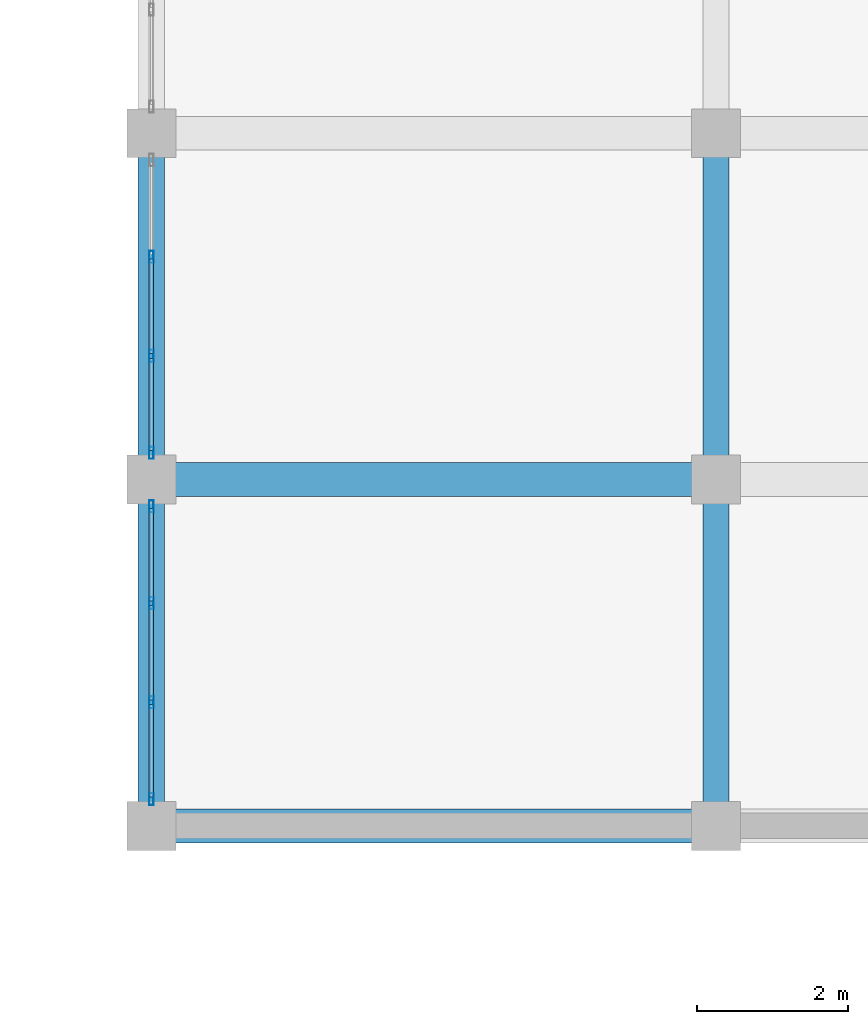
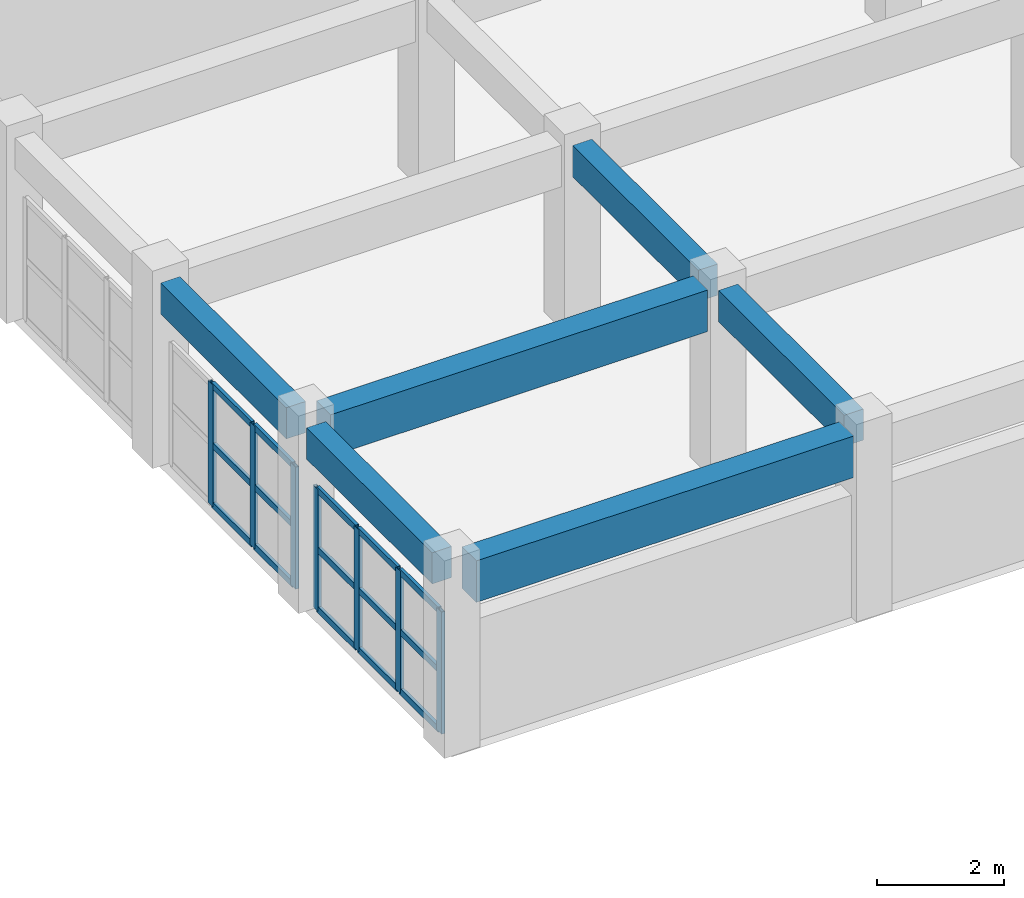
# One storey, part 10 of 74: 22 members, 6 beams, 2 elements without a shape of their own.
"""IFC4 building model written with IfcOpenShell, lengths in metres."""

from ifc_helpers import new_model, si_unit, direction, frame, origin, origin_2d, place, context, subcontext, project, spatial, rectangle, hollow_rectangle, extrude, material, layer, layer_set, material_profile, profile_set, type_object, element, aggregate, save


model = new_model("IFC4")

# Units and contexts
model_context = context("Model", 3, precision=1e-05, world=origin(), true_north=direction((0.0, 1.0)))
body_context = subcontext(model_context, "Body", "Model", "MODEL_VIEW")
ifc_project = project(units=[si_unit("LENGTHUNIT", "METRE"), si_unit("AREAUNIT", "SQUARE_METRE"), si_unit("VOLUMEUNIT", "CUBIC_METRE"), si_unit("PLANEANGLEUNIT", "RADIAN"), si_unit("MASSUNIT", "GRAM", prefix="KILO")], contexts=[model_context])

# Site, building, storey
site_placement = place(None, origin())
site = spatial("IfcSite", under=ifc_project, at=site_placement, CompositionType="ELEMENT")
building_placement = place(site_placement, origin())
building = spatial("IfcBuilding", under=site, at=building_placement, Name="Muzn Square Opera House", CompositionType="ELEMENT")
storey_placement = place(building_placement, frame((0.0, 0.0, 14.199951171875)))
storey = spatial("IfcBuildingStorey", under=building, at=storey_placement, Name="L03", CompositionType="ELEMENT", Elevation=14.199951171875)

# Curtain wall, members
ifc_material_1 = material(Name="Low-E laminated acoustic double glazing", Category="glass")
ifc_layer = layer(ifc_material_1, 0.159912109375, Name="Low-E laminated acoustic double glazing", Category="glass")
ifc_layer_set = layer_set([ifc_layer], Name="Low-E laminated acoustic double glazing")
curtain_wall_type = type_object("IfcCurtainWallType", Name="Glazed Curtain Wall WestCourt 3950x2350", PredefinedType="USERDEFINED", material=ifc_layer_set)
curtain_wall_1_placement = place(storey_placement, origin())
curtain_wall_1 = element("IfcCurtainWall", 1, at=curtain_wall_1_placement, inside=storey, type_object=curtain_wall_type, Name="Glazed Curtain Wall CW-L03-152", ObjectType="GLAZED CURTAIN WALL", PredefinedType="USERDEFINED")
ifc_material_2 = material(Name="Anodised bronze aluminium 6063-T6", Category="metal")
ifc_material_profile_1 = material_profile(ifc_material_2, hollow_rectangle(XDim=0.06005859375, YDim=0.159912109375, WallThickness=0.00390625, at=origin_2d()), Name="ALU 160x60x4", Category="metal")
ifc_profile_set_1 = profile_set([ifc_material_profile_1], Name="Anodised bronze aluminium 6063-T6")
member_type_1 = type_object("IfcMemberType", Name="Curtain Wall Mullion 160x60", PredefinedType="MULLION", material=ifc_profile_set_1)
member_1_placement = place(storey_placement, frame((19.0, 54.554931640625, 0.0), z_axis=(0.0, 0.0, 1.0), x_axis=(-1.0, 0.0, 0.0)))
member_1 = element("IfcMember", 2, at=member_1_placement, type_object=member_type_1, Name="CW-WCT-39x23 mullion 1", PredefinedType="MULLION", context=body_context, shape_type="SweptSolid", body=[
    extrude(hollow_rectangle(XDim=0.06005859375, YDim=0.159912109375, WallThickness=0.00390625, at=origin_2d()), origin(), (0.0, 0.0, 1.0), 2.35009765625),
])
member_2_placement = place(storey_placement, frame((19.0, 55.841552734375, 0.0), z_axis=(0.0, 0.0, 1.0), x_axis=(-1.0, 0.0, 0.0)))
member_2 = element("IfcMember", 3, at=member_2_placement, type_object=member_type_1, Name="CW-WCT-39x23 mullion 2", PredefinedType="MULLION", context=body_context, shape_type="SweptSolid", body=[
    extrude(hollow_rectangle(XDim=0.06005859375, YDim=0.159912109375, WallThickness=0.00390625, at=origin_2d()), origin(), (0.0, 0.0, 1.0), 2.35009765625),
])
member_3_placement = place(storey_placement, frame((19.0, 57.158447265625, 0.0), z_axis=(0.0, 0.0, 1.0), x_axis=(-1.0, 0.0, 0.0)))
member_3 = element("IfcMember", 4, at=member_3_placement, type_object=member_type_1, Name="CW-WCT-39x23 mullion 3", PredefinedType="MULLION", context=body_context, shape_type="SweptSolid", body=[
    extrude(hollow_rectangle(XDim=0.06005859375, YDim=0.159912109375, WallThickness=0.00390625, at=origin_2d()), origin(), (0.0, 0.0, 1.0), 2.35009765625),
])
member_4_placement = place(storey_placement, frame((19.0, 58.445068359375, 0.0), z_axis=(0.0, 0.0, 1.0), x_axis=(-1.0, 0.0, 0.0)))
member_4 = element("IfcMember", 5, at=member_4_placement, type_object=member_type_1, Name="CW-WCT-39x23 mullion 4", PredefinedType="MULLION", context=body_context, shape_type="SweptSolid", body=[
    extrude(hollow_rectangle(XDim=0.06005859375, YDim=0.159912109375, WallThickness=0.00390625, at=origin_2d()), origin(), (0.0, 0.0, 1.0), 2.35009765625),
])

curtain_wall_2_placement = place(storey_placement, origin())
curtain_wall_2 = element("IfcCurtainWall", 6, at=curtain_wall_2_placement, inside=storey, type_object=curtain_wall_type, Name="Glazed Curtain Wall CW-L03-153", ObjectType="GLAZED CURTAIN WALL", PredefinedType="USERDEFINED")
member_5_placement = place(storey_placement, frame((19.0, 59.155029296875, 0.0), z_axis=(0.0, 0.0, 1.0), x_axis=(-1.0, 0.0, 0.0)))
member_5 = element("IfcMember", 7, at=member_5_placement, type_object=member_type_1, Name="CW-WCT-39x23 mullion 1", PredefinedType="MULLION", context=body_context, shape_type="SweptSolid", body=[
    extrude(hollow_rectangle(XDim=0.06005859375, YDim=0.159912109375, WallThickness=0.00390625, at=origin_2d()), origin(), (0.0, 0.0, 1.0), 2.35009765625),
])
member_6_placement = place(storey_placement, frame((19.0, 60.441650390625, 0.0), z_axis=(0.0, 0.0, 1.0), x_axis=(-1.0, 0.0, 0.0)))
member_6 = element("IfcMember", 8, at=member_6_placement, type_object=member_type_1, Name="CW-WCT-39x23 mullion 2", PredefinedType="MULLION", context=body_context, shape_type="SweptSolid", body=[
    extrude(hollow_rectangle(XDim=0.06005859375, YDim=0.159912109375, WallThickness=0.00390625, at=origin_2d()), origin(), (0.0, 0.0, 1.0), 2.35009765625),
])
member_7_placement = place(storey_placement, frame((19.0, 61.75830078125, 0.0), z_axis=(0.0, 0.0, 1.0), x_axis=(-1.0, 0.0, 0.0)))
member_7 = element("IfcMember", 9, at=member_7_placement, type_object=member_type_1, Name="CW-WCT-39x23 mullion 3", PredefinedType="MULLION", context=body_context, shape_type="SweptSolid", body=[
    extrude(hollow_rectangle(XDim=0.06005859375, YDim=0.159912109375, WallThickness=0.00390625, at=origin_2d()), origin(), (0.0, 0.0, 1.0), 2.35009765625),
])

# Member
ifc_material_profile_2 = material_profile(ifc_material_2, hollow_rectangle(XDim=0.06005859375, YDim=0.1201171875, WallThickness=0.00390625, at=origin_2d()), Name="ALU 120x60x4", Category="metal")
ifc_profile_set_2 = profile_set([ifc_material_profile_2], Name="Anodised bronze aluminium 6063-T6")
member_type_2 = type_object("IfcMemberType", Name="Curtain Wall Transom 120x60", PredefinedType="USERDEFINED", material=ifc_profile_set_2)
member_8_placement = place(storey_placement, frame((19.0, 54.5849609375, 0.030029296875), z_axis=(0.0, 1.0, 0.0), x_axis=(-1.0, 0.0, 0.0)))
member_8 = element("IfcMember", 10, at=member_8_placement, type_object=member_type_2, Name="CW-WCT-39x23 transom 1.1", ObjectType="TRANSOM", PredefinedType="USERDEFINED", context=body_context, shape_type="SweptSolid", body=[
    extrude(hollow_rectangle(XDim=0.06005859375, YDim=0.1201171875, WallThickness=0.00390625, at=origin_2d()), origin(), (0.0, 0.0, 1.0), 1.226806640625),
])

member_9_placement = place(storey_placement, frame((19.0, 54.5849609375, 1.175048828125), z_axis=(0.0, 1.0, 0.0), x_axis=(-1.0, 0.0, 0.0)))
member_9 = element("IfcMember", 11, at=member_9_placement, type_object=member_type_2, Name="CW-WCT-39x23 transom 1.2", ObjectType="TRANSOM", PredefinedType="USERDEFINED", context=body_context, shape_type="SweptSolid", body=[
    extrude(hollow_rectangle(XDim=0.06005859375, YDim=0.1201171875, WallThickness=0.00390625, at=origin_2d()), origin(), (0.0, 0.0, 1.0), 1.226806640625),
])

member_10_placement = place(storey_placement, frame((19.0, 54.5849609375, 2.320068359375), z_axis=(0.0, 1.0, 0.0), x_axis=(-1.0, 0.0, 0.0)))
member_10 = element("IfcMember", 12, at=member_10_placement, type_object=member_type_2, Name="CW-WCT-39x23 transom 1.3", ObjectType="TRANSOM", PredefinedType="USERDEFINED", context=body_context, shape_type="SweptSolid", body=[
    extrude(hollow_rectangle(XDim=0.06005859375, YDim=0.1201171875, WallThickness=0.00390625, at=origin_2d()), origin(), (0.0, 0.0, 1.0), 1.226806640625),
])

member_11_placement = place(storey_placement, frame((19.0, 55.87158203125, 0.030029296875), z_axis=(0.0, 1.0, 0.0), x_axis=(-1.0, 0.0, 0.0)))
member_11 = element("IfcMember", 13, at=member_11_placement, type_object=member_type_2, Name="CW-WCT-39x23 transom 2.1", ObjectType="TRANSOM", PredefinedType="USERDEFINED", context=body_context, shape_type="SweptSolid", body=[
    extrude(hollow_rectangle(XDim=0.06005859375, YDim=0.1201171875, WallThickness=0.00390625, at=origin_2d()), origin(), (0.0, 0.0, 1.0), 1.2568359375),
])

member_12_placement = place(storey_placement, frame((19.0, 55.87158203125, 1.175048828125), z_axis=(0.0, 1.0, 0.0), x_axis=(-1.0, 0.0, 0.0)))
member_12 = element("IfcMember", 14, at=member_12_placement, type_object=member_type_2, Name="CW-WCT-39x23 transom 2.2", ObjectType="TRANSOM", PredefinedType="USERDEFINED", context=body_context, shape_type="SweptSolid", body=[
    extrude(hollow_rectangle(XDim=0.06005859375, YDim=0.1201171875, WallThickness=0.00390625, at=origin_2d()), origin(), (0.0, 0.0, 1.0), 1.2568359375),
])

member_13_placement = place(storey_placement, frame((19.0, 55.87158203125, 2.320068359375), z_axis=(0.0, 1.0, 0.0), x_axis=(-1.0, 0.0, 0.0)))
member_13 = element("IfcMember", 15, at=member_13_placement, type_object=member_type_2, Name="CW-WCT-39x23 transom 2.3", ObjectType="TRANSOM", PredefinedType="USERDEFINED", context=body_context, shape_type="SweptSolid", body=[
    extrude(hollow_rectangle(XDim=0.06005859375, YDim=0.1201171875, WallThickness=0.00390625, at=origin_2d()), origin(), (0.0, 0.0, 1.0), 1.2568359375),
])

member_14_placement = place(storey_placement, frame((19.0, 57.188232421875, 0.030029296875), z_axis=(0.0, 1.0, 0.0), x_axis=(-1.0, 0.0, 0.0)))
member_14 = element("IfcMember", 16, at=member_14_placement, type_object=member_type_2, Name="CW-WCT-39x23 transom 3.1", ObjectType="TRANSOM", PredefinedType="USERDEFINED", context=body_context, shape_type="SweptSolid", body=[
    extrude(hollow_rectangle(XDim=0.06005859375, YDim=0.1201171875, WallThickness=0.00390625, at=origin_2d()), origin(), (0.0, 0.0, 1.0), 1.226806640625),
])

member_15_placement = place(storey_placement, frame((19.0, 57.188232421875, 1.175048828125), z_axis=(0.0, 1.0, 0.0), x_axis=(-1.0, 0.0, 0.0)))
member_15 = element("IfcMember", 17, at=member_15_placement, type_object=member_type_2, Name="CW-WCT-39x23 transom 3.2", ObjectType="TRANSOM", PredefinedType="USERDEFINED", context=body_context, shape_type="SweptSolid", body=[
    extrude(hollow_rectangle(XDim=0.06005859375, YDim=0.1201171875, WallThickness=0.00390625, at=origin_2d()), origin(), (0.0, 0.0, 1.0), 1.226806640625),
])

member_16_placement = place(storey_placement, frame((19.0, 57.188232421875, 2.320068359375), z_axis=(0.0, 1.0, 0.0), x_axis=(-1.0, 0.0, 0.0)))
member_16 = element("IfcMember", 18, at=member_16_placement, type_object=member_type_2, Name="CW-WCT-39x23 transom 3.3", ObjectType="TRANSOM", PredefinedType="USERDEFINED", context=body_context, shape_type="SweptSolid", body=[
    extrude(hollow_rectangle(XDim=0.06005859375, YDim=0.1201171875, WallThickness=0.00390625, at=origin_2d()), origin(), (0.0, 0.0, 1.0), 1.226806640625),
])

aggregate(curtain_wall_1, [member_1, member_2, member_3, member_4, member_8, member_9, member_10, member_11, member_12, member_13, member_14, member_15, member_16])

member_17_placement = place(storey_placement, frame((19.0, 59.18505859375, 0.030029296875), z_axis=(0.0, 1.0, 0.0), x_axis=(-1.0, 0.0, 0.0)))
member_17 = element("IfcMember", 19, at=member_17_placement, type_object=member_type_2, Name="CW-WCT-39x23 transom 1.1", ObjectType="TRANSOM", PredefinedType="USERDEFINED", context=body_context, shape_type="SweptSolid", body=[
    extrude(hollow_rectangle(XDim=0.06005859375, YDim=0.1201171875, WallThickness=0.00390625, at=origin_2d()), origin(), (0.0, 0.0, 1.0), 1.2265625),
])

member_18_placement = place(storey_placement, frame((19.0, 59.18505859375, 1.175048828125), z_axis=(0.0, 1.0, 0.0), x_axis=(-1.0, 0.0, 0.0)))
member_18 = element("IfcMember", 20, at=member_18_placement, type_object=member_type_2, Name="CW-WCT-39x23 transom 1.2", ObjectType="TRANSOM", PredefinedType="USERDEFINED", context=body_context, shape_type="SweptSolid", body=[
    extrude(hollow_rectangle(XDim=0.06005859375, YDim=0.1201171875, WallThickness=0.00390625, at=origin_2d()), origin(), (0.0, 0.0, 1.0), 1.2265625),
])

member_19_placement = place(storey_placement, frame((19.0, 59.18505859375, 2.320068359375), z_axis=(0.0, 1.0, 0.0), x_axis=(-1.0, 0.0, 0.0)))
member_19 = element("IfcMember", 21, at=member_19_placement, type_object=member_type_2, Name="CW-WCT-39x23 transom 1.3", ObjectType="TRANSOM", PredefinedType="USERDEFINED", context=body_context, shape_type="SweptSolid", body=[
    extrude(hollow_rectangle(XDim=0.06005859375, YDim=0.1201171875, WallThickness=0.00390625, at=origin_2d()), origin(), (0.0, 0.0, 1.0), 1.2265625),
])

member_20_placement = place(storey_placement, frame((19.0, 60.4716796875, 0.030029296875), z_axis=(0.0, 1.0, 0.0), x_axis=(-1.0, 0.0, 0.0)))
member_20 = element("IfcMember", 22, at=member_20_placement, type_object=member_type_2, Name="CW-WCT-39x23 transom 2.1", ObjectType="TRANSOM", PredefinedType="USERDEFINED", context=body_context, shape_type="SweptSolid", body=[
    extrude(hollow_rectangle(XDim=0.06005859375, YDim=0.1201171875, WallThickness=0.00390625, at=origin_2d()), origin(), (0.0, 0.0, 1.0), 1.256591796875),
])

member_21_placement = place(storey_placement, frame((19.0, 60.4716796875, 1.175048828125), z_axis=(0.0, 1.0, 0.0), x_axis=(-1.0, 0.0, 0.0)))
member_21 = element("IfcMember", 23, at=member_21_placement, type_object=member_type_2, Name="CW-WCT-39x23 transom 2.2", ObjectType="TRANSOM", PredefinedType="USERDEFINED", context=body_context, shape_type="SweptSolid", body=[
    extrude(hollow_rectangle(XDim=0.06005859375, YDim=0.1201171875, WallThickness=0.00390625, at=origin_2d()), origin(), (0.0, 0.0, 1.0), 1.256591796875),
])

member_22_placement = place(storey_placement, frame((19.0, 60.4716796875, 2.320068359375), z_axis=(0.0, 1.0, 0.0), x_axis=(-1.0, 0.0, 0.0)))
member_22 = element("IfcMember", 24, at=member_22_placement, type_object=member_type_2, Name="CW-WCT-39x23 transom 2.3", ObjectType="TRANSOM", PredefinedType="USERDEFINED", context=body_context, shape_type="SweptSolid", body=[
    extrude(hollow_rectangle(XDim=0.06005859375, YDim=0.1201171875, WallThickness=0.00390625, at=origin_2d()), origin(), (0.0, 0.0, 1.0), 1.256591796875),
])

aggregate(curtain_wall_2, [member_5, member_6, member_7, member_17, member_18, member_19, member_20, member_21, member_22])

# Beams
ifc_material_3 = material(Name="Concrete C40/50", Category="concrete")
ifc_material_profile_3 = material_profile(ifc_material_3, rectangle(XDim=0.35009765625, YDim=0.60009765625, at=origin_2d()), Name="RCB 350x600", Category="concrete")
ifc_profile_set_3 = profile_set([ifc_material_profile_3], Name="Concrete C40/50")
beam_type_1 = type_object("IfcBeamType", Name="Primary Girder 350x600", PredefinedType="BEAM", material=ifc_profile_set_3)
beam_1_placement = place(storey_placement, frame((19.0, 54.51708984375, 3.219970703125), z_axis=(0.0, 1.0, 0.0), x_axis=(-1.0, 0.0, 0.0)))
element("IfcBeam", 25, at=beam_1_placement, inside=storey, type_object=beam_type_1, Name="Primary Girder BM-L03-BM-PG600-190_545_190_585-2520", PredefinedType="BEAM", context=body_context, shape_type="SweptSolid", body=[
    extrude(rectangle(XDim=0.35009765625, YDim=0.60009765625, at=origin_2d()), origin(), (0.0, 0.0, 1.0), 3.9658203125),
])
beam_2_placement = place(storey_placement, frame((19.0, 59.116943359375, 3.219970703125), z_axis=(0.0, 1.0, 0.0), x_axis=(-1.0, 0.0, 0.0)))
element("IfcBeam", 26, at=beam_2_placement, inside=storey, type_object=beam_type_1, Name="Primary Girder BM-L03-BM-PG600-190_591_190_631-2521", PredefinedType="BEAM", context=body_context, shape_type="SweptSolid", body=[
    extrude(rectangle(XDim=0.35009765625, YDim=0.60009765625, at=origin_2d()), origin(), (0.0, 0.0, 1.0), 3.966064453125),
])
beam_3_placement = place(storey_placement, frame((26.5, 54.51708984375, 3.239990234375), z_axis=(0.0, 1.0, 0.0), x_axis=(-1.0, 0.0, 0.0)))
element("IfcBeam", 27, at=beam_3_placement, inside=storey, type_object=beam_type_1, Name="Primary Girder BM-L03-BM-PG600-265_545_265_585-2527", PredefinedType="BEAM", context=body_context, shape_type="SweptSolid", body=[
    extrude(rectangle(XDim=0.35009765625, YDim=0.60009765625, at=origin_2d()), origin(), (0.0, 0.0, 1.0), 3.9658203125),
])
beam_4_placement = place(storey_placement, frame((26.5, 59.116943359375, 3.239990234375), z_axis=(0.0, 1.0, 0.0), x_axis=(-1.0, 0.0, 0.0)))
element("IfcBeam", 28, at=beam_4_placement, inside=storey, type_object=beam_type_1, Name="Primary Girder BM-L03-BM-PG600-265_591_265_631-2528", PredefinedType="BEAM", context=body_context, shape_type="SweptSolid", body=[
    extrude(rectangle(XDim=0.35009765625, YDim=0.60009765625, at=origin_2d()), origin(), (0.0, 0.0, 1.0), 3.966064453125),
])
ifc_material_profile_4 = material_profile(ifc_material_3, rectangle(XDim=0.449951171875, YDim=0.800048828125, at=origin_2d()), Name="RCB 450x800", Category="concrete")
ifc_profile_set_4 = profile_set([ifc_material_profile_4], Name="Concrete C40/50")
beam_type_2 = type_object("IfcBeamType", Name="Primary Girder 450x800", PredefinedType="BEAM", material=ifc_profile_set_4)
for number, where, z_axis, x_axis, name in (
    (29, (19.31689453125, 54.199951171875, 3.1201171875), (1.0, 0.0, 0.0), (0.0, 1.0, 0.0), "Primary Girder BM-L03-BM-PG800-193_542_262_542-2451"),
    (30, (19.31689453125, 58.800048828125, 3.14013671875), (1.0, 0.0, 0.0), (0.0, 1.0, 0.0), "Primary Girder BM-L03-BM-PG800-193_588_262_588-2457"),
):
    element("IfcBeam", number, at=place(storey_placement, frame(where, z_axis=z_axis, x_axis=x_axis)), inside=storey, type_object=beam_type_2, Name=name, PredefinedType="BEAM", context=body_context, shape_type="SweptSolid", body=[
        extrude(rectangle(XDim=0.449951171875, YDim=0.800048828125, at=origin_2d()), origin(), (0.0, 0.0, 1.0), 6.8662109375),
    ])

save(model, "model.ifc")
